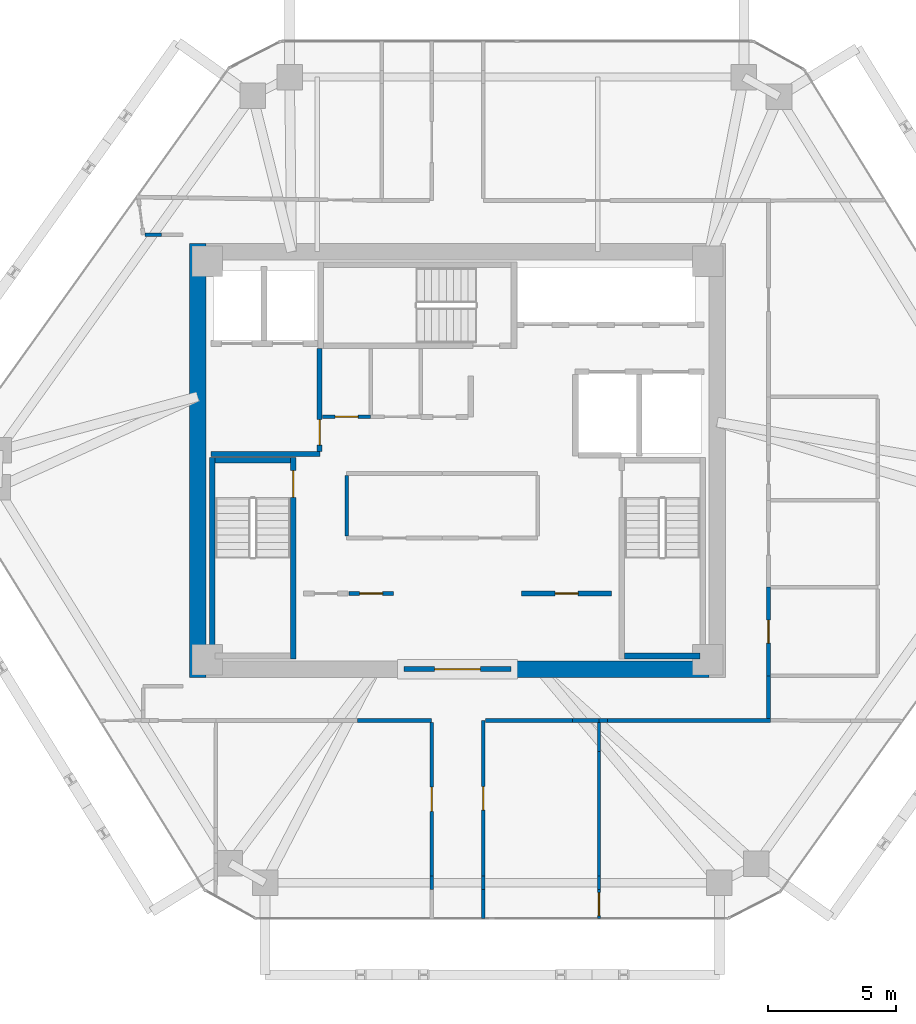
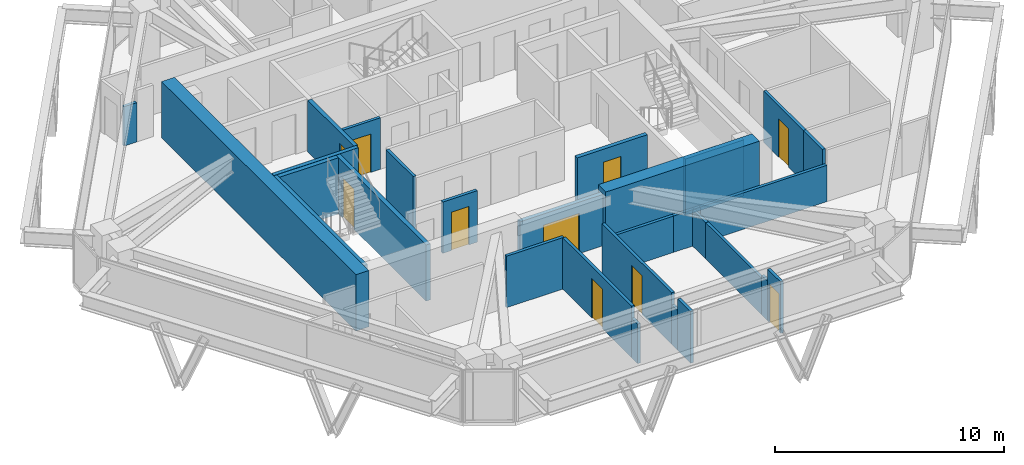
# One storey, part 8 of 12: 30 walls, 10 doors, 10 openings.
"""IFC4 building model written with IfcOpenShell, lengths in metres."""

from ifc_helpers import new_model, si_unit, direction, frame, frame_2d, origin, place, context, subcontext, project, spatial, rectangle, extrude, source, transform, mapped, material, layer, layer_set, type_object, type_shapes, element, fill, save


model = new_model("IFC4")

# Units and contexts
model_context = context("Model", 3, precision=1e-05, world=origin(), true_north=direction((0.0, 1.0)))
body_context = subcontext(model_context, "Body", "Model", "MODEL_VIEW")
ifc_project = project(units=[si_unit("LENGTHUNIT", "METRE"), si_unit("AREAUNIT", "SQUARE_METRE"), si_unit("VOLUMEUNIT", "CUBIC_METRE"), si_unit("PLANEANGLEUNIT", "RADIAN"), si_unit("MASSUNIT", "GRAM", prefix="KILO")], contexts=[model_context])

# Site, building, storey
site_placement = place(None, origin())
site = spatial("IfcSite", under=ifc_project, at=site_placement, CompositionType="ELEMENT")
building_placement = place(site_placement, origin())
building = spatial("IfcBuilding", under=site, at=building_placement, Name="Durnholm Broadcast Tower", CompositionType="ELEMENT")
storey_placement = place(building_placement, frame((0.0, 0.0, 203.199951171875)))
storey = spatial("IfcBuildingStorey", under=building, at=storey_placement, Name="L56", CompositionType="ELEMENT", Elevation=203.199951171875)

# Walls
ifc_material_1 = material(Name="Concrete C70/85", Category="concrete")
ifc_layer_1 = layer(ifc_material_1, 0.64990234375)
ifc_layer_set_1 = layer_set([ifc_layer_1], Name="Concrete C70/85")
wall_type_1 = type_object("IfcWallType", Name="WALL-CW-650", PredefinedType="SHEAR", material=ifc_layer_set_1)
wall_1_placement = place(storey_placement, frame((-10.175048828125, -8.5, 0.0), z_axis=(0.0, 0.0, 1.0), x_axis=(0.0, 1.0, 0.0)))
element("IfcWall", 1, at=wall_1_placement, inside=storey, type_object=wall_type_1, Name="L56 central core shear wall CW-WEST", PredefinedType="SHEAR", context=body_context, shape_type="SweptSolid", body=[
    extrude(rectangle(XDim=17.0, YDim=0.64990234375, at=frame_2d((8.5, 0.0))), origin(), (0.0, 0.0, 1.0), 3.0),
])
wall_2_placement = place(storey_placement, frame((2.10009765625, -8.175048828125, 0.0), z_axis=(0.0, 0.0, 1.0), x_axis=(1.0, 0.0, 0.0)))
element("IfcWall", 2, at=wall_2_placement, inside=storey, type_object=wall_type_1, Name="L56 central core shear wall CW-S2", PredefinedType="SHEAR", context=body_context, shape_type="SweptSolid", body=[
    extrude(rectangle(XDim=7.75, YDim=0.64990234375, at=frame_2d((3.875, 0.0))), origin(), (0.0, 0.0, 1.0), 3.0),
])

# Wall, opening, door
ifc_material_2 = material(Name="Fire-Rated Gypsum Shaftwall", Category="concrete")
ifc_layer_2 = layer(ifc_material_2, 0.199951171875)
ifc_layer_set_2 = layer_set([ifc_layer_2], Name="Fire-Rated Gypsum Shaftwall")
wall_type_2 = type_object("IfcWallType", Name="WALL-LOB-200", PredefinedType="SOLIDWALL", material=ifc_layer_set_2)
wall_3_placement = place(storey_placement, frame((-2.10009765625, -8.175048828125, 0.0), z_axis=(0.0, 0.0, 1.0), x_axis=(1.0, 0.0, 0.0)))
wall_3 = element("IfcWall", 3, at=wall_3_placement, inside=storey, type_object=wall_type_2, Name="L56 south core lobby fire screen", PredefinedType="SOLIDWALL", context=body_context, shape_type="SweptSolid", body=[
    extrude(rectangle(XDim=4.2001953125, YDim=0.199951171875, at=frame_2d((2.10009765625, 0.0))), origin(), (0.0, 0.0, 1.0), 2.7451171875),
])
opening_1_placement = place(wall_3_placement, frame((1.199951171875, 0.0, 0.0)))
opening_1 = element("IfcOpeningElement", 4, at=opening_1_placement, cuts=wall_3, Name="Opening DP-60", PredefinedType="OPENING", context=body_context, shape_type="SweptSolid", body=[
    extrude(rectangle(XDim=1.800048828125, YDim=2.14990234375, at=frame_2d((0.89990234375, 1.074951171875))), frame((0.0, 0.10986328125, 0.0), z_axis=(0.0, -1.0, 0.0), x_axis=(1.0, 0.0, 0.0)), (0.0, 0.0, 1.0), 0.219970703125),
])
ifc_material_3 = material(Name="Fire-Rated Double Corridor Door", Category="steel")
ifc_layer_3 = layer(ifc_material_3, 0.050048828125)
ifc_layer_set_3 = layer_set([ifc_layer_3], Name="Fire-Rated Double Corridor Door")
door_type_1 = type_object("IfcDoorType", Name="DOOR-PAIR-FD60", OperationType="DOUBLE_DOOR_SINGLE_SWING", PredefinedType="DOOR", material=ifc_layer_set_3)
shared_shape_1 = source(origin(), body_context, "Body", "SweptSolid", [
    extrude(rectangle(XDim=1.800048828125, YDim=2.14990234375, at=frame_2d((0.89990234375, 1.074951171875))), frame((0.0, 0.02490234375, 0.0), z_axis=(0.0, -1.0, 0.0), x_axis=(1.0, 0.0, 0.0)), (0.0, 0.0, 1.0), 0.050048828125),
])
type_shapes(door_type_1, [shared_shape_1])
door_1_placement = place(opening_1_placement, origin())
door_1 = element("IfcDoor", 5, at=door_1_placement, inside=storey, type_object=door_type_1, Name="L56 south core lobby double fire door", OperationType="DOUBLE_DOOR_SINGLE_SWING", OverallHeight=2.14990234375, OverallWidth=1.800048828125, PredefinedType="DOOR", context=body_context, shape_type="MappedRepresentation", body=[
    mapped(shared_shape_1, transform((0.0, 0.0, 0.0), x_axis=(1.0, 0.0, 0.0), y_axis=(0.0, 1.0, 0.0), z_axis=(0.0, 0.0, 1.0), scale=1.0)),
])
fill(opening_1, door_1)

# Wall
wall_4_placement = place(storey_placement, frame((-9.64990234375, 0.25, 0.0), z_axis=(0.0, 0.0, 1.0), x_axis=(1.0, 0.0, 0.0)))
element("IfcWall", 6, at=wall_4_placement, inside=storey, type_object=wall_type_2, Name="L56 Fire Service Access Elevator lobby south wall", PredefinedType="SOLIDWALL", context=body_context, shape_type="SweptSolid", body=[
    extrude(rectangle(XDim=4.27001953125, YDim=0.199951171875, at=frame_2d((2.135009765625, 0.0))), origin(), (0.0, 0.0, 1.0), 2.7451171875),
])

# Wall, opening, door
wall_5_placement = place(storey_placement, frame((-5.39990234375, 0.35400390625, 0.0), z_axis=(0.0, 0.0, 1.0), x_axis=(0.0, 1.0, 0.0)))
wall_5 = element("IfcWall", 7, at=wall_5_placement, inside=storey, type_object=wall_type_2, Name="L56 Fire Service Access Elevator lobby east fire wall", PredefinedType="SOLIDWALL", context=body_context, shape_type="SweptSolid", body=[
    extrude(rectangle(XDim=4.02587890625, YDim=0.199951171875, at=frame_2d((2.012939453125, 0.0))), origin(), (0.0, 0.0, 1.0), 2.7451171875),
])
opening_2_placement = place(wall_5_placement, frame((0.24609375, 0.0, 0.0)))
opening_2 = element("IfcOpeningElement", 8, at=opening_2_placement, cuts=wall_5, Name="Opening DL-60L", PredefinedType="OPENING", context=body_context, shape_type="SweptSolid", body=[
    extrude(rectangle(XDim=1.0, YDim=2.14990234375, at=frame_2d((0.5, 1.074951171875))), frame((0.0, 0.10986328125, 0.0), z_axis=(0.0, -1.0, 0.0), x_axis=(1.0, 0.0, 0.0)), (0.0, 0.0, 1.0), 0.219970703125),
])
ifc_material_4 = material(Name="Fire-Rated Timber/Steel Door", Category="steel")
ifc_layer_4 = layer(ifc_material_4, 0.050048828125)
ifc_layer_set_4 = layer_set([ifc_layer_4], Name="Fire-Rated Timber/Steel Door")
door_type_2 = type_object("IfcDoorType", Name="DOOR-LOB-FD60-L", OperationType="NOTDEFINED", PredefinedType="DOOR", material=ifc_layer_set_4)
shared_shape_2 = source(origin(), body_context, "Body", "SweptSolid", [
    extrude(rectangle(XDim=1.0, YDim=2.14990234375, at=frame_2d((0.5, 1.074951171875))), frame((0.0, 0.02490234375, 0.0), z_axis=(0.0, -1.0, 0.0), x_axis=(1.0, 0.0, 0.0)), (0.0, 0.0, 1.0), 0.050048828125),
])
type_shapes(door_type_2, [shared_shape_2])
door_2_placement = place(opening_2_placement, origin())
door_2 = element("IfcDoor", 9, at=door_2_placement, inside=storey, type_object=door_type_2, Name="L56 Fire Service Access Elevator lobby smoke door", OperationType="SINGLE_SWING_LEFT", OverallHeight=2.14990234375, OverallWidth=1.0, PredefinedType="DOOR", context=body_context, shape_type="MappedRepresentation", body=[
    mapped(shared_shape_2, transform((0.0, 0.0, 0.0), x_axis=(1.0, 0.0, 0.0), y_axis=(0.0, 1.0, 0.0), z_axis=(0.0, 0.0, 1.0), scale=1.0)),
])
fill(opening_2, door_2)

wall_6_placement = place(storey_placement, frame((2.510009765625, -5.2099609375, 0.0), z_axis=(0.0, 0.0, 1.0), x_axis=(1.0, 0.0, 0.0)))
wall_6 = element("IfcWall", 10, at=wall_6_placement, inside=storey, type_object=wall_type_2, Name="L56 Telemetry Control Closet corridor partition", PredefinedType="SOLIDWALL", context=body_context, shape_type="SweptSolid", body=[
    extrude(rectangle(XDim=3.530029296875, YDim=0.199951171875, at=frame_2d((1.76513671875, 0.0))), origin(), (0.0, 0.0, 1.0), 2.7451171875),
])
opening_3_placement = place(wall_6_placement, frame((1.31494140625, 0.0, 0.0)))
opening_3 = element("IfcOpeningElement", 11, at=opening_3_placement, cuts=wall_6, Name="Opening DC-60R", PredefinedType="OPENING", context=body_context, shape_type="SweptSolid", body=[
    extrude(rectangle(XDim=0.89990234375, YDim=2.050048828125, at=frame_2d((0.449951171875, 1.02490234375))), frame((0.0, 0.10986328125, 0.0), z_axis=(0.0, -1.0, 0.0), x_axis=(1.0, 0.0, 0.0)), (0.0, 0.0, 1.0), 0.219970703125),
])
ifc_material_5 = material(Name="Fire-Rated Core Service Door", Category="steel")
ifc_layer_5 = layer(ifc_material_5, 0.050048828125)
ifc_layer_set_5 = layer_set([ifc_layer_5], Name="Fire-Rated Core Service Door")
door_type_3 = type_object("IfcDoorType", Name="DOOR-CORE-FD60-R", OperationType="NOTDEFINED", PredefinedType="DOOR", material=ifc_layer_set_5)
shared_shape_3 = source(origin(), body_context, "Body", "SweptSolid", [
    extrude(rectangle(XDim=0.89990234375, YDim=2.050048828125, at=frame_2d((0.449951171875, 1.02490234375))), frame((0.0, 0.02490234375, 0.0), z_axis=(0.0, -1.0, 0.0), x_axis=(1.0, 0.0, 0.0)), (0.0, 0.0, 1.0), 0.050048828125),
])
type_shapes(door_type_3, [shared_shape_3])
door_3_placement = place(opening_3_placement, origin())
door_3 = element("IfcDoor", 12, at=door_3_placement, inside=storey, type_object=door_type_3, Name="L56 Telemetry Control Closet entrance door", OperationType="SINGLE_SWING_RIGHT", OverallHeight=2.050048828125, OverallWidth=0.89990234375, PredefinedType="DOOR", context=body_context, shape_type="MappedRepresentation", body=[
    mapped(shared_shape_3, transform((0.0, 0.0, 0.0), x_axis=(1.0, 0.0, 0.0), y_axis=(0.0, 1.0, 0.0), z_axis=(0.0, 0.0, 1.0), scale=1.0)),
])
fill(opening_3, door_3)

# Wall
ifc_material_6 = material(Name="Gypsum Metal Stud Partition", Category="concrete")
ifc_layer_6 = layer(ifc_material_6, 0.135009765625)
ifc_layer_set_6 = layer_set([ifc_layer_6], Name="Gypsum Metal Stud Partition")
wall_type_3 = type_object("IfcWallType", Name="WALL-PART-135", PredefinedType="PARTITIONING", material=ifc_layer_set_6)
wall_7_placement = place(storey_placement, frame((5.5400390625, -11.39990234375, 0.0), z_axis=(0.0, 0.0, 1.0), x_axis=(0.0, -1.0, 0.0)))
element("IfcWall", 13, at=wall_7_placement, inside=storey, type_object=wall_type_3, Name="L56 room dividing partition 17.18", PredefinedType="PARTITIONING", context=body_context, shape_type="SweptSolid", body=[
    extrude(rectangle(XDim=4.879638671875, YDim=0.135009765625, at=frame_2d((2.43994140625, 0.0))), origin(), (0.0, 0.0, 1.0), 1.94189453125),
])

# Wall, opening, door
wall_8_placement = place(storey_placement, frame((5.5400390625, -16.804443359375, 0.0), z_axis=(0.0, 0.0, 1.0), x_axis=(0.0, -1.0, 0.0)))
wall_8 = element("IfcWall", 14, at=wall_8_placement, inside=storey, type_object=wall_type_3, Name="L56 room dividing partition 17.18", PredefinedType="PARTITIONING", context=body_context, shape_type="SweptSolid", body=[
    extrude(rectangle(XDim=1.137451171875, YDim=0.135009765625, at=frame_2d((0.56884765625, 0.0))), origin(), (0.0, 0.0, 1.0), 2.7451171875),
])
opening_4_placement = place(wall_8_placement, frame((0.11865234375, 0.0, 0.0)))
opening_4 = element("IfcOpeningElement", 15, at=opening_4_placement, cuts=wall_8, Name="Opening DW-90L", PredefinedType="OPENING", context=body_context, shape_type="SweptSolid", body=[
    extrude(rectangle(XDim=0.89990234375, YDim=2.050048828125, at=frame_2d((0.449951171875, 1.02490234375))), frame((0.0, 0.07763671875, 0.0), z_axis=(0.0, -1.0, 0.0), x_axis=(1.0, 0.0, 0.0)), (0.0, 0.0, 1.0), 0.155029296875),
])
ifc_material_7 = material(Name="Laminate Restroom Door", Category="steel")
ifc_layer_7 = layer(ifc_material_7, 0.050048828125)
ifc_layer_set_7 = layer_set([ifc_layer_7], Name="Laminate Restroom Door")
door_type_4 = type_object("IfcDoorType", Name="DOOR-WC-900L", OperationType="NOTDEFINED", PredefinedType="DOOR", material=ifc_layer_set_7)
shared_shape_4 = source(origin(), body_context, "Body", "SweptSolid", [
    extrude(rectangle(XDim=0.89990234375, YDim=2.050048828125, at=frame_2d((0.449951171875, 1.02490234375))), frame((0.0, 0.02490234375, 0.0), z_axis=(0.0, -1.0, 0.0), x_axis=(1.0, 0.0, 0.0)), (0.0, 0.0, 1.0), 0.050048828125),
])
type_shapes(door_type_4, [shared_shape_4])
door_4_placement = place(opening_4_placement, origin())
door_4 = element("IfcDoor", 16, at=door_4_placement, inside=storey, type_object=door_type_4, Name="L56 Open Plan Broadcast Workspace 2 connecting door", OperationType="SINGLE_SWING_LEFT", OverallHeight=2.050048828125, OverallWidth=0.89990234375, PredefinedType="DOOR", context=body_context, shape_type="MappedRepresentation", body=[
    mapped(shared_shape_4, transform((0.0, 0.0, 0.0), x_axis=(1.0, 0.0, 0.0), y_axis=(0.0, 1.0, 0.0), z_axis=(0.0, 0.0, 1.0), scale=1.0)),
])
fill(opening_4, door_4)

# Walls
wall_9_placement = place(storey_placement, frame((5.5400390625, -10.259033203125, 0.0), z_axis=(0.0, 0.0, 1.0), x_axis=(0.0, -1.0, 0.0)))
element("IfcWall", 17, at=wall_9_placement, inside=storey, type_object=wall_type_3, Name="L56 room dividing partition 17.18", PredefinedType="PARTITIONING", context=body_context, shape_type="SweptSolid", body=[
    extrude(rectangle(XDim=1.140869140625, YDim=0.135009765625, at=frame_2d((0.5703125, 0.0))), origin(), (0.0, 0.0, 1.0), 1.94189453125),
])
wall_10_placement = place(storey_placement, frame((5.5400390625, -16.279541015625, 0.0), z_axis=(0.0, 0.0, 1.0), x_axis=(0.0, -1.0, 0.0)))
element("IfcWall", 18, at=wall_10_placement, inside=storey, type_object=wall_type_3, Name="L56 room dividing partition 17.18", PredefinedType="PARTITIONING", context=body_context, shape_type="SweptSolid", body=[
    extrude(rectangle(XDim=0.52490234375, YDim=0.135009765625, at=frame_2d((0.262451171875, 0.0))), origin(), (0.0, 0.0, 1.0), 2.098876953125),
])

# Wall, opening, door
ifc_material_8 = material(Name="Acoustic Gypsum Stud Partition", Category="concrete")
ifc_layer_8 = layer(ifc_material_8, 0.14990234375)
ifc_layer_set_8 = layer_set([ifc_layer_8], Name="Acoustic Gypsum Stud Partition")
wall_type_4 = type_object("IfcWallType", Name="WALL-PART-150", PredefinedType="PARTITIONING", material=ifc_layer_set_8)
wall_11_placement = place(storey_placement, frame((-4.260009765625, -5.2099609375, 0.0), z_axis=(0.0, 0.0, 1.0), x_axis=(1.0, 0.0, 0.0)))
wall_11 = element("IfcWall", 19, at=wall_11_placement, inside=storey, type_object=wall_type_4, Name="L56 Copy and Print Room corridor partition", PredefinedType="PARTITIONING", context=body_context, shape_type="SweptSolid", body=[
    extrude(rectangle(XDim=1.75, YDim=0.14990234375, at=frame_2d((0.875, 0.0))), origin(), (0.0, 0.0, 1.0), 2.7451171875),
])
opening_5_placement = place(wall_11_placement, frame((0.425048828125, 0.0, 0.0)))
opening_5 = element("IfcOpeningElement", 20, at=opening_5_placement, cuts=wall_11, Name="Opening DC-60L", PredefinedType="OPENING", context=body_context, shape_type="SweptSolid", body=[
    extrude(rectangle(XDim=0.89990234375, YDim=2.050048828125, at=frame_2d((0.449951171875, 1.02490234375))), frame((0.0, 0.0849609375, 0.0), z_axis=(0.0, -1.0, 0.0), x_axis=(1.0, 0.0, 0.0)), (0.0, 0.0, 1.0), 0.169921875),
])
ifc_layer_9 = layer(ifc_material_5, 0.050048828125)
ifc_layer_set_9 = layer_set([ifc_layer_9], Name="Fire-Rated Core Service Door")
door_type_5 = type_object("IfcDoorType", Name="DOOR-CORE-FD60-L", OperationType="NOTDEFINED", PredefinedType="DOOR", material=ifc_layer_set_9)
shared_shape_5 = source(origin(), body_context, "Body", "SweptSolid", [
    extrude(rectangle(XDim=0.89990234375, YDim=2.050048828125, at=frame_2d((0.449951171875, 1.02490234375))), frame((0.0, 0.02490234375, 0.0), z_axis=(0.0, -1.0, 0.0), x_axis=(1.0, 0.0, 0.0)), (0.0, 0.0, 1.0), 0.050048828125),
])
type_shapes(door_type_5, [shared_shape_5])
door_5_placement = place(opening_5_placement, origin())
door_5 = element("IfcDoor", 21, at=door_5_placement, inside=storey, type_object=door_type_5, Name="L56 Copy and Print Room entrance door", OperationType="SINGLE_SWING_LEFT", OverallHeight=2.050048828125, OverallWidth=0.89990234375, PredefinedType="DOOR", context=body_context, shape_type="MappedRepresentation", body=[
    mapped(shared_shape_5, transform((0.0, 0.0, 0.0), x_axis=(1.0, 0.0, 0.0), y_axis=(0.0, 1.0, 0.0), z_axis=(0.0, 0.0, 1.0), scale=1.0)),
])
fill(opening_5, door_5)

# Wall
wall_12_placement = place(storey_placement, frame((-4.340087890625, -2.9609375, 0.0), z_axis=(0.0, 0.0, 1.0), x_axis=(0.0, 1.0, 0.0)))
element("IfcWall", 22, at=wall_12_placement, inside=storey, type_object=wall_type_4, Name="L56 Digital Tape Archive Store corridor partition", PredefinedType="PARTITIONING", context=body_context, shape_type="SweptSolid", body=[
    extrude(rectangle(XDim=2.371826171875, YDim=0.14990234375, at=frame_2d((1.18603515625, 0.0))), origin(), (0.0, 0.0, 1.0), 2.7451171875),
])

# Wall, opening, door
wall_13_placement = place(storey_placement, frame((-3.39990234375, 1.7099609375, 0.0), z_axis=(0.0, 0.0, 1.0), x_axis=(-1.0, 0.0, 0.0)))
wall_13 = element("IfcWall", 23, at=wall_13_placement, inside=storey, type_object=wall_type_4, Name="L56 Core Copy and Print Closet corridor partition", PredefinedType="PARTITIONING", context=body_context, shape_type="SweptSolid", body=[
    extrude(rectangle(XDim=1.89599609375, YDim=0.14990234375, at=frame_2d((0.947998046875, 0.0))), origin(), (0.0, 0.0, 1.0), 2.7451171875),
])
opening_6_placement = place(wall_13_placement, frame((0.498046875, 0.0, 0.0)))
opening_6 = element("IfcOpeningElement", 24, at=opening_6_placement, cuts=wall_13, Name="Opening DC-60L", PredefinedType="OPENING", context=body_context, shape_type="SweptSolid", body=[
    extrude(rectangle(XDim=0.89990234375, YDim=2.050048828125, at=frame_2d((0.449951171875, 1.02490234375))), frame((0.0, 0.0849609375, 0.0), z_axis=(0.0, -1.0, 0.0), x_axis=(1.0, 0.0, 0.0)), (0.0, 0.0, 1.0), 0.169921875),
])
door_6_placement = place(opening_6_placement, origin())
door_6 = element("IfcDoor", 25, at=door_6_placement, inside=storey, type_object=door_type_5, Name="L56 Core Copy and Print Closet entrance door", OperationType="SINGLE_SWING_LEFT", OverallHeight=2.050048828125, OverallWidth=0.89990234375, PredefinedType="DOOR", context=body_context, shape_type="MappedRepresentation", body=[
    mapped(shared_shape_5, transform((0.0, 0.0, 0.0), x_axis=(1.0, 0.0, 0.0), y_axis=(0.0, 1.0, 0.0), z_axis=(0.0, 0.0, 1.0), scale=1.0)),
])
fill(opening_6, door_6)

# Wall
wall_14_placement = place(storey_placement, frame((-3.912841796875, -10.179931640625, 0.0), z_axis=(0.0, 0.0, 1.0), x_axis=(1.0, 0.0, 0.0)))
element("IfcWall", 26, at=wall_14_placement, inside=storey, type_object=wall_type_4, Name="L56 Open Plan Broadcast Workspace 6 corridor partition", PredefinedType="PARTITIONING", context=body_context, shape_type="SweptSolid", body=[
    extrude(rectangle(XDim=2.90283203125, YDim=0.14990234375, at=frame_2d((1.451416015625, 0.0))), origin(), (0.0, 0.0, 1.0), 2.7451171875),
])

# Wall, opening, door
wall_15_placement = place(storey_placement, frame((-1.010009765625, -10.259033203125, 0.0), z_axis=(0.0, 0.0, 1.0), x_axis=(0.0, -1.0, 0.0)))
wall_15 = element("IfcWall", 27, at=wall_15_placement, inside=storey, type_object=wall_type_4, Name="L56 Open Plan Broadcast Workspace 6 corridor partition", PredefinedType="PARTITIONING", context=body_context, shape_type="SweptSolid", body=[
    extrude(rectangle(XDim=6.0205078125, YDim=0.14990234375, at=frame_2d((3.01025390625, 0.0))), origin(), (0.0, 0.0, 1.0), 2.7451171875),
])
opening_7_placement = place(wall_15_placement, frame((2.53515625, 0.0, 0.0)))
opening_7 = element("IfcOpeningElement", 28, at=opening_7_placement, cuts=wall_15, Name="Opening DR-95L", PredefinedType="OPENING", context=body_context, shape_type="SweptSolid", body=[
    extrude(rectangle(XDim=0.949951171875, YDim=2.10009765625, at=frame_2d((0.47509765625, 1.050048828125))), frame((0.0, 0.0849609375, 0.0), z_axis=(0.0, -1.0, 0.0), x_axis=(1.0, 0.0, 0.0)), (0.0, 0.0, 1.0), 0.169921875),
])
ifc_material_9 = material(Name="Acoustic Oak Veneer Timber Door", Category="wood")
ifc_layer_10 = layer(ifc_material_9, 0.050048828125)
ifc_layer_set_10 = layer_set([ifc_layer_10], Name="Acoustic Oak Veneer Timber Door")
door_type_6 = type_object("IfcDoorType", Name="DOOR-RM-950L", OperationType="NOTDEFINED", PredefinedType="DOOR", material=ifc_layer_set_10)
shared_shape_6 = source(origin(), body_context, "Body", "SweptSolid", [
    extrude(rectangle(XDim=0.949951171875, YDim=2.10009765625, at=frame_2d((0.47509765625, 1.050048828125))), frame((0.0, 0.02490234375, 0.0), z_axis=(0.0, -1.0, 0.0), x_axis=(1.0, 0.0, 0.0)), (0.0, 0.0, 1.0), 0.050048828125),
])
type_shapes(door_type_6, [shared_shape_6])
door_7_placement = place(opening_7_placement, origin())
door_7 = element("IfcDoor", 29, at=door_7_placement, inside=storey, type_object=door_type_6, Name="L56 Open Plan Broadcast Workspace 6 entrance door", OperationType="SINGLE_SWING_LEFT", OverallHeight=2.10009765625, OverallWidth=0.949951171875, PredefinedType="DOOR", context=body_context, shape_type="MappedRepresentation", body=[
    mapped(shared_shape_6, transform((0.0, 0.0, 0.0), x_axis=(1.0, 0.0, 0.0), y_axis=(0.0, 1.0, 0.0), z_axis=(0.0, 0.0, 1.0), scale=1.0)),
])
fill(opening_7, door_7)

# Walls
wall_16_placement = place(storey_placement, frame((-1.010009765625, -16.279541015625, 0.0), z_axis=(0.0, 0.0, 1.0), x_axis=(0.0, -1.0, 0.0)))
element("IfcWall", 30, at=wall_16_placement, inside=storey, type_object=wall_type_4, Name="L56 Open Plan Broadcast Workspace 6 corridor partition", PredefinedType="PARTITIONING", context=body_context, shape_type="SweptSolid", body=[
    extrude(rectangle(XDim=0.52490234375, YDim=0.14990234375, at=frame_2d((0.262451171875, 0.0))), origin(), (0.0, 0.0, 1.0), 2.098876953125),
])
wall_17_placement = place(storey_placement, frame((1.010009765625, -17.94189453125, 0.0), z_axis=(0.0, 0.0, 1.0), x_axis=(0.0, 1.0, 0.0)))
element("IfcWall", 31, at=wall_17_placement, inside=storey, type_object=wall_type_4, Name="L56 Board Meeting Room corridor partition", PredefinedType="PARTITIONING", context=body_context, shape_type="SweptSolid", body=[
    extrude(rectangle(XDim=1.137451171875, YDim=0.14990234375, at=frame_2d((0.56884765625, 0.0))), origin(), (0.0, 0.0, 1.0), 2.7451171875),
])

# Wall, opening, door
wall_18_placement = place(storey_placement, frame((1.010009765625, -16.279541015625, 0.0), z_axis=(0.0, 0.0, 1.0), x_axis=(0.0, 1.0, 0.0)))
wall_18 = element("IfcWall", 32, at=wall_18_placement, inside=storey, type_object=wall_type_4, Name="L56 Board Meeting Room corridor partition", PredefinedType="PARTITIONING", context=body_context, shape_type="SweptSolid", body=[
    extrude(rectangle(XDim=6.099609375, YDim=0.14990234375, at=frame_2d((3.0498046875, 0.0))), origin(), (0.0, 0.0, 1.0), 2.7451171875),
])
opening_8_placement = place(wall_18_placement, frame((2.589599609375, 0.0, 0.0)))
opening_8 = element("IfcOpeningElement", 33, at=opening_8_placement, cuts=wall_18, Name="Opening DR-92R", PredefinedType="OPENING", context=body_context, shape_type="SweptSolid", body=[
    extrude(rectangle(XDim=0.919921875, YDim=2.10009765625, at=frame_2d((0.4599609375, 1.050048828125))), frame((0.0, 0.0849609375, 0.0), z_axis=(0.0, -1.0, 0.0), x_axis=(1.0, 0.0, 0.0)), (0.0, 0.0, 1.0), 0.169921875),
])
ifc_material_10 = material(Name="Oak Veneer Office Door", Category="wood")
ifc_layer_11 = layer(ifc_material_10, 0.050048828125)
ifc_layer_set_11 = layer_set([ifc_layer_11], Name="Oak Veneer Office Door")
door_type_7 = type_object("IfcDoorType", Name="DOOR-RM-920R", OperationType="NOTDEFINED", PredefinedType="DOOR", material=ifc_layer_set_11)
shared_shape_7 = source(origin(), body_context, "Body", "SweptSolid", [
    extrude(rectangle(XDim=0.919921875, YDim=2.10009765625, at=frame_2d((0.4599609375, 1.050048828125))), frame((0.0, 0.02490234375, 0.0), z_axis=(0.0, -1.0, 0.0), x_axis=(1.0, 0.0, 0.0)), (0.0, 0.0, 1.0), 0.050048828125),
])
type_shapes(door_type_7, [shared_shape_7])
door_8_placement = place(opening_8_placement, origin())
door_8 = element("IfcDoor", 34, at=door_8_placement, inside=storey, type_object=door_type_7, Name="L56 Board Meeting Room entrance door", OperationType="SINGLE_SWING_RIGHT", OverallHeight=2.10009765625, OverallWidth=0.919921875, PredefinedType="DOOR", context=body_context, shape_type="MappedRepresentation", body=[
    mapped(shared_shape_7, transform((0.0, 0.0, 0.0), x_axis=(1.0, 0.0, 0.0), y_axis=(0.0, 1.0, 0.0), z_axis=(0.0, 0.0, 1.0), scale=1.0)),
])
fill(opening_8, door_8)

# Walls
wall_19_placement = place(storey_placement, frame((1.010009765625, -16.804443359375, 0.0), z_axis=(0.0, 0.0, 1.0), x_axis=(0.0, 1.0, 0.0)))
element("IfcWall", 35, at=wall_19_placement, inside=storey, type_object=wall_type_4, Name="L56 Board Meeting Room corridor partition", PredefinedType="PARTITIONING", context=body_context, shape_type="SweptSolid", body=[
    extrude(rectangle(XDim=0.52490234375, YDim=0.14990234375, at=frame_2d((0.262451171875, 0.0))), origin(), (0.0, 0.0, 1.0), 2.098876953125),
])
wall_20_placement = place(storey_placement, frame((1.089111328125, -10.179931640625, 0.0), z_axis=(0.0, 0.0, 1.0), x_axis=(1.0, 0.0, 0.0)))
element("IfcWall", 36, at=wall_20_placement, inside=storey, type_object=wall_type_4, Name="L56 Board Meeting Room corridor partition", PredefinedType="PARTITIONING", context=body_context, shape_type="SweptSolid", body=[
    extrude(rectangle(XDim=3.422119140625, YDim=0.14990234375, at=frame_2d((1.7109375, 0.0))), origin(), (0.0, 0.0, 1.0), 1.94189453125),
])
wall_21_placement = place(storey_placement, frame((4.51123046875, -10.179931640625, 0.0), z_axis=(0.0, 0.0, 1.0), x_axis=(1.0, 0.0, 0.0)))
element("IfcWall", 37, at=wall_21_placement, inside=storey, type_object=wall_type_4, Name="L56 Board Meeting Room corridor partition", PredefinedType="PARTITIONING", context=body_context, shape_type="SweptSolid", body=[
    extrude(rectangle(XDim=1.02880859375, YDim=0.14990234375, at=frame_2d((0.514404296875, 0.0))), origin(), (0.0, 0.0, 1.0), 1.94189453125),
])
wall_22_placement = place(storey_placement, frame((5.86962890625, -10.179931640625, 0.0), z_axis=(0.0, 0.0, 1.0), x_axis=(1.0, 0.0, 0.0)))
element("IfcWall", 38, at=wall_22_placement, inside=storey, type_object=wall_type_4, Name="L56 Open Plan Broadcast Workspace 2 corridor partition", PredefinedType="PARTITIONING", context=body_context, shape_type="SweptSolid", body=[
    extrude(rectangle(XDim=6.390380859375, YDim=0.14990234375, at=frame_2d((3.1953125, 0.0))), origin(), (0.0, 0.0, 1.0), 1.94189453125),
])
wall_23_placement = place(storey_placement, frame((5.5400390625, -10.179931640625, 0.0), z_axis=(0.0, 0.0, 1.0), x_axis=(1.0, 0.0, 0.0)))
element("IfcWall", 39, at=wall_23_placement, inside=storey, type_object=wall_type_4, Name="L56 Open Plan Broadcast Workspace 2 corridor partition", PredefinedType="PARTITIONING", context=body_context, shape_type="SweptSolid", body=[
    extrude(rectangle(XDim=0.32958984375, YDim=0.14990234375, at=frame_2d((0.164794921875, 0.0))), origin(), (0.0, 0.0, 1.0), 1.94189453125),
])
wall_24_placement = place(storey_placement, frame((-12.23681640625, 8.840087890625, 0.0), z_axis=(0.0, 0.0, 1.0), x_axis=(1.0, 0.0, 0.0)))
element("IfcWall", 40, at=wall_24_placement, inside=storey, type_object=wall_type_4, Name="L56 Treasury Dining Room corridor partition", PredefinedType="PARTITIONING", context=body_context, shape_type="SweptSolid", body=[
    extrude(rectangle(XDim=0.645751953125, YDim=0.14990234375, at=frame_2d((0.32275390625, 0.0))), origin(), (0.0, 0.0, 1.0), 2.098876953125),
])
wall_25_placement = place(storey_placement, frame((12.179931640625, -10.10107421875, 0.0), z_axis=(0.0, 0.0, 1.0), x_axis=(0.0, 1.0, 0.0)))
element("IfcWall", 41, at=wall_25_placement, inside=storey, type_object=wall_type_4, Name="L56 Catering Kitchen corridor partition", PredefinedType="PARTITIONING", context=body_context, shape_type="SweptSolid", body=[
    extrude(rectangle(XDim=1.6611328125, YDim=0.14990234375, at=frame_2d((0.83056640625, 0.0))), origin(), (0.0, 0.0, 1.0), 2.7451171875),
])

# Wall, opening, door
ifc_material_11 = material(Name="Concrete C50/60", Category="concrete")
ifc_layer_12 = layer(ifc_material_11, 0.219970703125)
ifc_layer_set_12 = layer_set([ifc_layer_12], Name="Concrete C50/60")
wall_type_5 = type_object("IfcWallType", Name="WALL-SW-220", PredefinedType="SHEAR", material=ifc_layer_set_12)
wall_26_placement = place(storey_placement, frame((-6.429931640625, -7.77001953125, -0.239990234375), z_axis=(0.0, 0.0, 1.0), x_axis=(0.0, 1.0, 0.0)))
wall_26 = element("IfcWall", 42, at=wall_26_placement, inside=storey, type_object=wall_type_5, Name="L56 stair ST-1 structural shaft wall E", PredefinedType="SHEAR", context=body_context, shape_type="SweptSolid", body=[
    extrude(rectangle(XDim=7.89013671875, YDim=0.219970703125, at=frame_2d((3.945068359375, 0.0))), origin(), (0.0, 0.0, 1.0), 3.0),
])
opening_9_placement = place(wall_26_placement, frame((6.320068359375, 0.0, 0.0)))
opening_9 = element("IfcOpeningElement", 43, at=opening_9_placement, cuts=wall_26, Name="Opening DS-90L", PredefinedType="OPENING", context=body_context, shape_type="SweptSolid", body=[
    extrude(rectangle(XDim=1.050048828125, YDim=2.14990234375, at=frame_2d((0.52490234375, 1.074951171875))), frame((0.0, 0.1201171875, 0.0), z_axis=(0.0, -1.0, 0.0), x_axis=(1.0, 0.0, 0.0)), (0.0, 0.0, 1.0), 0.239990234375),
])
ifc_material_12 = material(Name="Fire-Rated Steel Door", Category="steel")
ifc_layer_13 = layer(ifc_material_12, 0.050048828125)
ifc_layer_set_13 = layer_set([ifc_layer_13], Name="Fire-Rated Steel Door")
door_type_8 = type_object("IfcDoorType", Name="DOOR-ST-FD90-L", OperationType="NOTDEFINED", PredefinedType="DOOR", material=ifc_layer_set_13)
shared_shape_8 = source(origin(), body_context, "Body", "SweptSolid", [
    extrude(rectangle(XDim=1.050048828125, YDim=2.14990234375, at=frame_2d((0.52490234375, 1.074951171875))), frame((0.0, 0.02490234375, 0.0), z_axis=(0.0, -1.0, 0.0), x_axis=(1.0, 0.0, 0.0)), (0.0, 0.0, 1.0), 0.050048828125),
])
type_shapes(door_type_8, [shared_shape_8])
door_9_placement = place(opening_9_placement, origin())
door_9 = element("IfcDoor", 44, at=door_9_placement, inside=storey, type_object=door_type_8, Name="L56 exit stair ST-1 fire door", OperationType="SINGLE_SWING_LEFT", OverallHeight=2.14990234375, OverallWidth=1.050048828125, PredefinedType="DOOR", context=body_context, shape_type="MappedRepresentation", body=[
    mapped(shared_shape_8, transform((0.0, 0.0, 0.0), x_axis=(1.0, 0.0, 0.0), y_axis=(0.0, 1.0, 0.0), z_axis=(0.0, 0.0, 1.0), scale=1.0)),
])
fill(opening_9, door_9)

# Walls
wall_27_placement = place(storey_placement, frame((-9.610107421875, 0.1201171875, -0.239990234375), z_axis=(0.0, 0.0, 1.0), x_axis=(0.0, -1.0, 0.0)))
element("IfcWall", 45, at=wall_27_placement, inside=storey, type_object=wall_type_5, Name="L56 stair ST-1 structural shaft wall W", PredefinedType="SHEAR", context=body_context, shape_type="SweptSolid", body=[
    extrude(rectangle(XDim=7.89013671875, YDim=0.219970703125, at=frame_2d((3.945068359375, 0.0))), origin(), (0.0, 0.0, 1.0), 3.0),
])
for number, where, z_axis, x_axis, name in (
    (46, (-6.5400390625, 0.010009765625, -0.239990234375), (0.0, 0.0, 1.0), (-1.0, 0.0, 0.0), "L56 stair ST-1 structural shaft wall N"),
    (47, (6.5400390625, -7.659912109375, -0.239990234375), (0.0, 0.0, 1.0), (1.0, 0.0, 0.0), "L56 stair ST-2 structural shaft wall S"),
):
    element("IfcWall", number, at=place(storey_placement, frame(where, z_axis=z_axis, x_axis=x_axis)), inside=storey, type_object=wall_type_5, Name=name, PredefinedType="SHEAR", context=body_context, shape_type="SweptSolid", body=[
        extrude(rectangle(XDim=2.9599609375, YDim=0.219970703125, at=frame_2d((1.47998046875, 0.0))), origin(), (0.0, 0.0, 1.0), 3.0),
    ])

# Wall, opening, door
ifc_material_13 = material(Name="Moisture-Resistant Tile Partition", Category="concrete")
ifc_layer_14 = layer(ifc_material_13, 0.139892578125)
ifc_layer_set_14 = layer_set([ifc_layer_14], Name="Moisture-Resistant Tile Partition")
wall_type_6 = type_object("IfcWallType", Name="WALL-WC-140", PredefinedType="PARTITIONING", material=ifc_layer_set_14)
wall_28_placement = place(storey_placement, frame((12.179931640625, -8.43994140625, 0.0), z_axis=(0.0, 0.0, 1.0), x_axis=(0.0, 1.0, 0.0)))
wall_28 = element("IfcWall", 48, at=wall_28_placement, inside=storey, type_object=wall_type_6, Name="L56 Men's Restroom corridor partition", PredefinedType="PARTITIONING", context=body_context, shape_type="SweptSolid", body=[
    extrude(rectangle(XDim=3.47998046875, YDim=0.139892578125, at=frame_2d((1.739990234375, 0.0))), origin(), (0.0, 0.0, 1.0), 2.7451171875),
])
opening_10_placement = place(wall_28_placement, frame((1.2900390625, 0.0, 0.0)))
opening_10 = element("IfcOpeningElement", 49, at=opening_10_placement, cuts=wall_28, Name="Opening DW-90R", PredefinedType="OPENING", context=body_context, shape_type="SweptSolid", body=[
    extrude(rectangle(XDim=0.89990234375, YDim=2.050048828125, at=frame_2d((0.449951171875, 1.02490234375))), frame((0.0, 0.080078125, 0.0), z_axis=(0.0, -1.0, 0.0), x_axis=(1.0, 0.0, 0.0)), (0.0, 0.0, 1.0), 0.159912109375),
])
ifc_layer_15 = layer(ifc_material_7, 0.050048828125)
ifc_layer_set_15 = layer_set([ifc_layer_15], Name="Laminate Restroom Door")
door_type_9 = type_object("IfcDoorType", Name="DOOR-WC-900R", OperationType="NOTDEFINED", PredefinedType="DOOR", material=ifc_layer_set_15)
shared_shape_9 = source(origin(), body_context, "Body", "SweptSolid", [
    extrude(rectangle(XDim=0.89990234375, YDim=2.050048828125, at=frame_2d((0.449951171875, 1.02490234375))), frame((0.0, 0.02490234375, 0.0), z_axis=(0.0, -1.0, 0.0), x_axis=(1.0, 0.0, 0.0)), (0.0, 0.0, 1.0), 0.050048828125),
])
type_shapes(door_type_9, [shared_shape_9])
door_10_placement = place(opening_10_placement, origin())
door_10 = element("IfcDoor", 50, at=door_10_placement, inside=storey, type_object=door_type_9, Name="L56 Men's Restroom entrance door", OperationType="SINGLE_SWING_RIGHT", OverallHeight=2.050048828125, OverallWidth=0.89990234375, PredefinedType="DOOR", context=body_context, shape_type="MappedRepresentation", body=[
    mapped(shared_shape_9, transform((0.0, 0.0, 0.0), x_axis=(1.0, 0.0, 0.0), y_axis=(0.0, 1.0, 0.0), z_axis=(0.0, 0.0, 1.0), scale=1.0)),
])
fill(opening_10, door_10)

save(model, "model.ifc")
